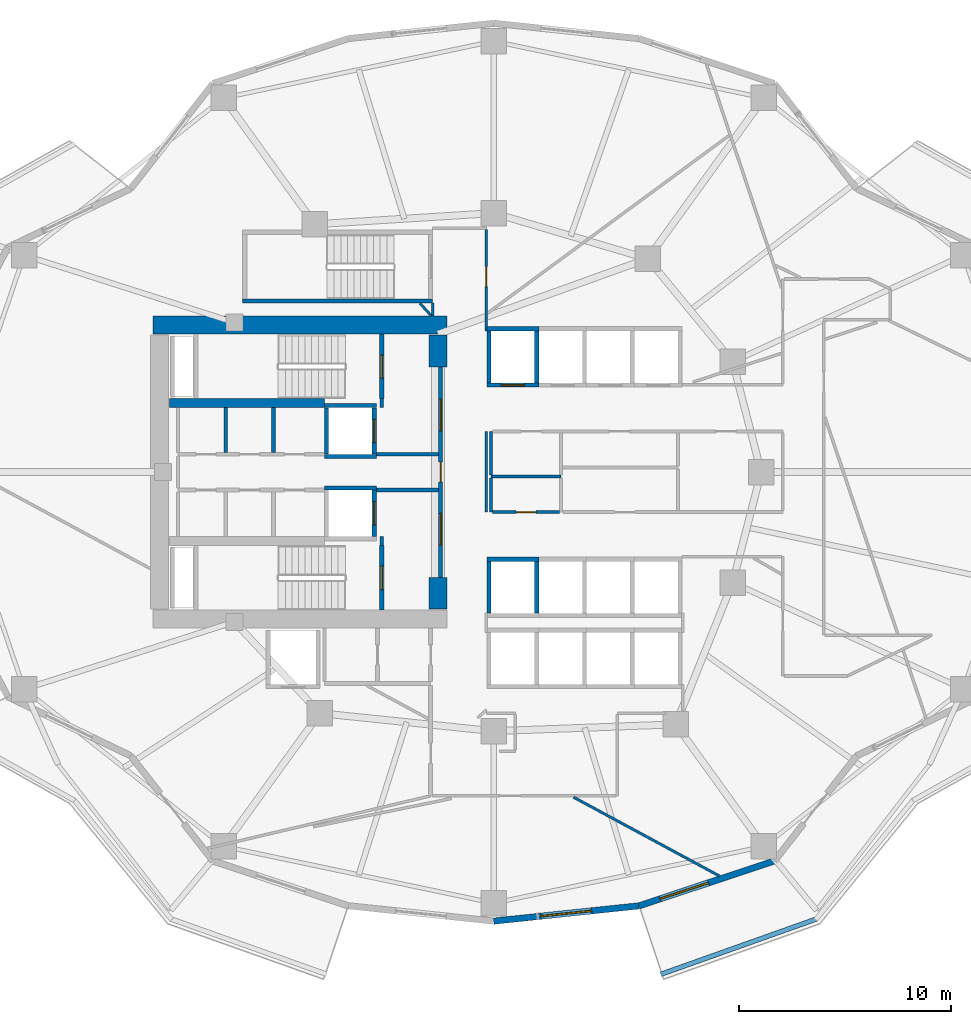
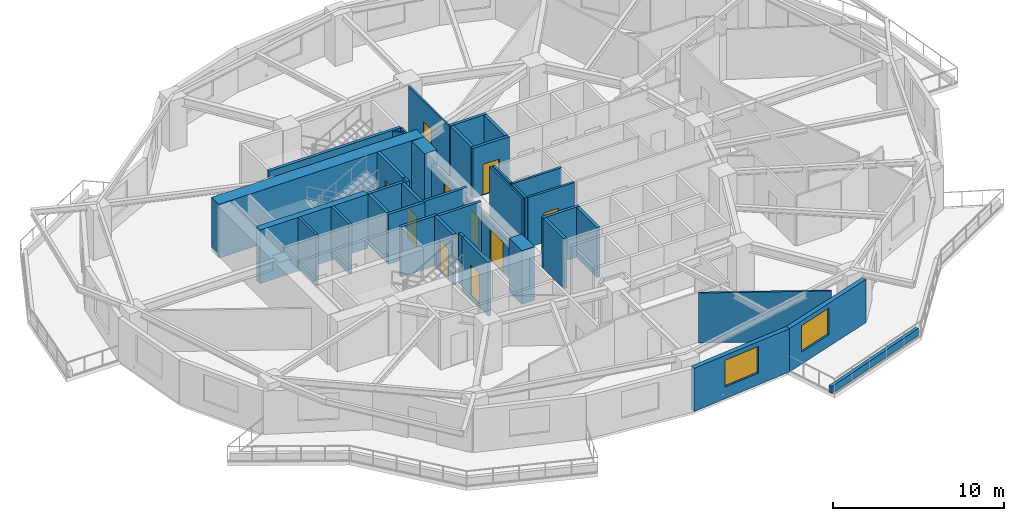
# One storey, part 4 of 11: 39 walls, 10 doors, 2 windows, 12 openings.
"""IFC4 building model written with IfcOpenShell, lengths in metres."""

from ifc_helpers import new_model, si_unit, direction, frame, frame_2d, origin, place, context, subcontext, project, spatial, rectangle, extrude, material, layer, layer_set, type_object, element, fill, save


model = new_model("IFC4")

# Units and contexts
model_context = context("Model", 3, precision=1e-05, world=origin(), true_north=direction((0.0, 1.0)))
body_context = subcontext(model_context, "Body", "Model", "MODEL_VIEW")
ifc_project = project(units=[si_unit("LENGTHUNIT", "METRE"), si_unit("AREAUNIT", "SQUARE_METRE"), si_unit("VOLUMEUNIT", "CUBIC_METRE"), si_unit("PLANEANGLEUNIT", "RADIAN"), si_unit("MASSUNIT", "GRAM", prefix="KILO")], contexts=[model_context])

# Site, building, storey
site_placement = place(None, origin())
site = spatial("IfcSite", under=ifc_project, at=site_placement, CompositionType="ELEMENT")
building_placement = place(site_placement, origin())
building = spatial("IfcBuilding", under=site, at=building_placement, Name="Kolvaren Gate Tower and Convention Centre", CompositionType="ELEMENT")
storey_placement = place(building_placement, frame((0.0, 0.0, 88.10009765625)))
storey = spatial("IfcBuildingStorey", under=building, at=storey_placement, Name="L21", CompositionType="ELEMENT", Elevation=88.10009765625)

# Walls
ifc_material_1 = material(Name="Autoclaved Aerated Masonry Blockwork Class 4 (4.0 MPa)", Category="masonry")
ifc_layer_1 = layer(ifc_material_1, 0.179931640625)
ifc_layer_set_1 = layer_set([ifc_layer_1], Name="Autoclaved Aerated Masonry Blockwork Class 4 (4.0 MPa)")
wall_type_1 = type_object("IfcWallType", Name="ARCH-WL-COMP-180", PredefinedType="SOLIDWALL", material=ifc_layer_set_1)
for number, where, z_axis, x_axis, name in (
    (1, (24.85009765625, 23.5400390625, 0.0), (0.0, 0.0, 1.0), (0.0, 1.0, 0.0), "Interior Partition WL-L21-INT-001"),
    (2, (24.85009765625, 30.0400390625, 0.0), (0.0, 0.0, 1.0), (0.0, 1.0, 0.0), "Interior Partition WL-L21-INT-002"),
):
    element("IfcWall", number, at=place(storey_placement, frame(where, z_axis=z_axis, x_axis=x_axis)), inside=storey, type_object=wall_type_1, Name=name, PredefinedType="SOLIDWALL", context=body_context, shape_type="SweptSolid", body=[
        extrude(rectangle(XDim=0.419921875, YDim=0.179931640625, at=frame_2d((0.2099609375, 0.0))), origin(), (0.0, 0.0, 1.0), 3.56982421875),
    ])

# Wall, openings, doors
wall_1_placement = place(storey_placement, frame((27.6201171875, 22.050048828125, 0.0), z_axis=(0.0, 0.0, 1.0), x_axis=(0.0, 1.0, 0.0)))
wall_1 = element("IfcWall", 3, at=wall_1_placement, inside=storey, type_object=wall_type_1, Name="Interior Partition WL-L21-INT-003", PredefinedType="SOLIDWALL", context=body_context, shape_type="SweptSolid", body=[
    extrude(rectangle(XDim=9.89990234375, YDim=0.179931640625, at=frame_2d((4.949951171875, 0.0))), origin(), (0.0, 0.0, 1.0), 2.661865234375),
])
opening_1_placement = place(wall_1_placement, frame((4.47509765625, 0.0, 0.0)))
opening_1 = element("IfcOpeningElement", 4, at=opening_1_placement, cuts=wall_1, Name="Opening DR-01", PredefinedType="OPENING", context=body_context, shape_type="SweptSolid", body=[
    extrude(rectangle(XDim=0.949951171875, YDim=2.10009765625, at=frame_2d((0.47509765625, 1.050048828125))), frame((0.0, 0.099853515625, 0.0), z_axis=(0.0, -1.0, 0.0), x_axis=(1.0, 0.0, 0.0)), (0.0, 0.0, 1.0), 0.199951171875),
])
opening_2_placement = place(wall_1_placement, frame((6.889892578125, 0.0, 0.0)))
opening_2 = element("IfcOpeningElement", 5, at=opening_2_placement, cuts=wall_1, Name="Opening DL-01", PredefinedType="OPENING", context=body_context, shape_type="SweptSolid", body=[
    extrude(rectangle(XDim=1.5, YDim=2.199951171875, at=frame_2d((0.75, 1.10009765625))), frame((0.0, 0.099853515625, 0.0), z_axis=(0.0, -1.0, 0.0), x_axis=(1.0, 0.0, 0.0)), (0.0, 0.0, 1.0), 0.199951171875),
])
opening_3_placement = place(wall_1_placement, frame((1.510009765625, 0.0, 0.0)))
opening_3 = element("IfcOpeningElement", 6, at=opening_3_placement, cuts=wall_1, Name="Opening DL-01", PredefinedType="OPENING", context=body_context, shape_type="SweptSolid", body=[
    extrude(rectangle(XDim=1.5, YDim=2.199951171875, at=frame_2d((0.75, 1.10009765625))), frame((0.0, 0.099853515625, 0.0), z_axis=(0.0, -1.0, 0.0), x_axis=(1.0, 0.0, 0.0)), (0.0, 0.0, 1.0), 0.199951171875),
])
ifc_material_2 = material(Name="Painted Architectural Steelwork ASTM A500 Grade C 345 MPa", Category="steel")
door_type_1 = type_object("IfcDoorType", Name="ARCH-DR-LOBBY-1500", OperationType="DOUBLE_DOOR_SINGLE_SWING", PredefinedType="DOOR", material=ifc_material_2)
door_1_placement = place(opening_2_placement, origin())
door_1 = element("IfcDoor", 7, at=door_1_placement, inside=storey, type_object=door_type_1, Name="North Firefighting Stair and Lift Lobby Door", OperationType="DOUBLE_DOOR_SINGLE_SWING", OverallHeight=2.199951171875, OverallWidth=1.5, PredefinedType="DOOR", context=body_context, shape_type="SweptSolid", body=[
    extrude(rectangle(XDim=1.5, YDim=2.199951171875, at=frame_2d((0.75, 1.10009765625))), frame((0.0, 0.02490234375, 0.0), z_axis=(0.0, -1.0, 0.0), x_axis=(1.0, 0.0, 0.0)), (0.0, 0.0, 1.0), 0.050048828125),
])
fill(opening_2, door_1)
door_2_placement = place(opening_3_placement, origin())
door_2 = element("IfcDoor", 8, at=door_2_placement, inside=storey, type_object=door_type_1, Name="South Firefighting Stair and Lift Lobby Door", OperationType="DOUBLE_DOOR_SINGLE_SWING", OverallHeight=2.199951171875, OverallWidth=1.5, PredefinedType="DOOR", context=body_context, shape_type="SweptSolid", body=[
    extrude(rectangle(XDim=1.5, YDim=2.199951171875, at=frame_2d((0.75, 1.10009765625))), frame((0.0, 0.02490234375, 0.0), z_axis=(0.0, -1.0, 0.0), x_axis=(1.0, 0.0, 0.0)), (0.0, 0.0, 1.0), 0.050048828125),
])
fill(opening_3, door_2)
door_type_2 = type_object("IfcDoorType", Name="ARCH-DR-RISER-950", OperationType="SINGLE_SWING_RIGHT", PredefinedType="DOOR", material=ifc_material_2)
door_3_placement = place(opening_1_placement, origin())
door_3 = element("IfcDoor", 9, at=door_3_placement, inside=storey, type_object=door_type_2, Name="Central MEP Service Corridor Door", OperationType="SINGLE_SWING_LEFT", OverallHeight=2.10009765625, OverallWidth=0.949951171875, PredefinedType="DOOR", context=body_context, shape_type="SweptSolid", body=[
    extrude(rectangle(XDim=0.949951171875, YDim=2.10009765625, at=frame_2d((0.47509765625, 1.050048828125))), frame((0.0, 0.02490234375, 0.0), z_axis=(0.0, -1.0, 0.0), x_axis=(1.0, 0.0, 0.0)), (0.0, 0.0, 1.0), 0.050048828125),
])
fill(opening_1, door_3)

# Walls
for number, where, z_axis, x_axis, name in (
    (10, (24.60009765625, 27.840087890625, 0.0), (0.0, 0.0, 1.0), (1.0, 0.0, 0.0), "Interior Partition WL-L21-INT-004 (2)"),
    (11, (24.60009765625, 26.159912109375, 0.0), (0.0, 0.0, 1.0), (1.0, 0.0, 0.0), "Interior Partition WL-L21-INT-005 (2)"),
):
    element("IfcWall", number, at=place(storey_placement, frame(where, z_axis=z_axis, x_axis=x_axis)), inside=storey, type_object=wall_type_1, Name=name, PredefinedType="SOLIDWALL", context=body_context, shape_type="SweptSolid", body=[
        extrude(rectangle(XDim=2.927978515625, YDim=0.179931640625, at=frame_2d((1.4638671875, 0.0))), origin(), (0.0, 0.0, 1.0), 3.56982421875),
    ])
wall_2_placement = place(storey_placement, frame((19.75, 27.931884765625, 0.0), z_axis=(0.0, 0.0, 1.0), x_axis=(0.0, 1.0, 0.0)))
element("IfcWall", 12, at=wall_2_placement, inside=storey, type_object=wall_type_1, Name="Interior Partition WL-L21-INT-008", PredefinedType="SOLIDWALL", context=body_context, shape_type="SweptSolid", body=[
    extrude(rectangle(XDim=2.106201171875, YDim=0.179931640625, at=frame_2d((1.05322265625, 0.0))), origin(), (0.0, 0.0, 1.0), 3.56982421875),
])
ifc_material_3 = material(Name="Fire-Rated Acoustic Gypsum Stud Partition", Category="gypsum")
ifc_layer_2 = layer(ifc_material_3, 0.1201171875)
ifc_layer_set_2 = layer_set([ifc_layer_2], Name="Fire-Rated Acoustic Gypsum Stud Partition")
wall_type_2 = type_object("IfcWallType", Name="ARCH-WL-PART-120", PredefinedType="PARTITIONING", material=ifc_layer_set_2)
wall_3_placement = place(storey_placement, frame((27.25, 34.35205078125, 0.0), z_axis=(0.0, 0.0, 1.0), x_axis=(0.0, 1.0, 0.0)))
element("IfcWall", 13, at=wall_3_placement, inside=storey, type_object=wall_type_2, Name="Interior Partition WL-L21-INT-026", PredefinedType="PARTITIONING", context=body_context, shape_type="SweptSolid", body=[
    extrude(rectangle(XDim=0.60595703125, YDim=0.1201171875, at=frame_2d((0.302978515625, 0.0))), origin(), (0.0, 0.0, 1.0), 3.56982421875),
])
wall_4_placement = place(storey_placement, frame((29.780029296875, 25.1201171875, 0.0), z_axis=(0.0, 0.0, 1.0), x_axis=(0.0, 1.0, 0.0)))
element("IfcWall", 14, at=wall_4_placement, inside=storey, type_object=wall_type_2, Name="Interior Partition WL-L21-INT-029", PredefinedType="PARTITIONING", context=body_context, shape_type="SweptSolid", body=[
    extrude(rectangle(XDim=3.7998046875, YDim=0.1201171875, at=frame_2d((1.89990234375, 0.0))), origin(), (0.0, 0.0, 1.0), 3.56982421875),
])

# Wall, opening, door
wall_5_placement = place(storey_placement, frame((29.780029296875, 33.639892578125, 0.0), z_axis=(0.0, 0.0, 1.0), x_axis=(0.0, 1.0, 0.0)))
wall_5 = element("IfcWall", 15, at=wall_5_placement, inside=storey, type_object=wall_type_2, Name="Interior Partition WL-L21-INT-030", PredefinedType="PARTITIONING", context=body_context, shape_type="SweptSolid", body=[
    extrude(rectangle(XDim=4.798095703125, YDim=0.1201171875, at=frame_2d((2.39892578125, 0.0))), origin(), (0.0, 0.0, 1.0), 3.56982421875),
])
opening_4_placement = place(wall_5_placement, frame((2.094482421875, 0.0, 0.0)))
opening_4 = element("IfcOpeningElement", 16, at=opening_4_placement, cuts=wall_5, Name="Opening DR-01", PredefinedType="OPENING", context=body_context, shape_type="SweptSolid", body=[
    extrude(rectangle(XDim=0.949951171875, YDim=2.10009765625, at=frame_2d((0.47509765625, 1.050048828125))), frame((0.0, 0.070068359375, 0.0), z_axis=(0.0, -1.0, 0.0), x_axis=(1.0, 0.0, 0.0)), (0.0, 0.0, 1.0), 0.14013671875),
])
door_4_placement = place(opening_4_placement, origin())
door_4 = element("IfcDoor", 17, at=door_4_placement, inside=storey, type_object=door_type_2, Name="Conference and Training Seminar Room Door", OperationType="SINGLE_SWING_RIGHT", OverallHeight=2.10009765625, OverallWidth=0.949951171875, PredefinedType="DOOR", context=body_context, shape_type="SweptSolid", body=[
    extrude(rectangle(XDim=0.949951171875, YDim=2.10009765625, at=frame_2d((0.47509765625, 1.050048828125))), frame((0.0, 0.02490234375, 0.0), z_axis=(0.0, -1.0, 0.0), x_axis=(1.0, 0.0, 0.0)), (0.0, 0.0, 1.0), 0.050048828125),
])
fill(opening_4, door_4)

# Walls
wall_6_placement = place(storey_placement, frame((33.888916015625, 11.68798828125, 0.0), z_axis=(0.0, 0.0, 1.0), x_axis=(0.879862970093, -0.475227475909, 0.0)))
element("IfcWall", 18, at=wall_6_placement, inside=storey, type_object=wall_type_2, Name="Interior Partition WL-L21-INT-050", PredefinedType="PARTITIONING", context=body_context, shape_type="SweptSolid", body=[
    extrude(rectangle(XDim=7.79541015625, YDim=0.1201171875, at=frame_2d((3.897705078125, 0.0))), origin(), (0.0, 0.0, 1.0), 3.56982421875),
])
wall_7_placement = place(storey_placement, frame((26.65087890625, 34.9580078125, 0.0), z_axis=(0.0, 0.0, 1.0), x_axis=(0.668729584791, -0.743505711091, 0.0)))
element("IfcWall", 19, at=wall_7_placement, inside=storey, type_object=wall_type_2, Name="Interior Partition WL-L21-INT-062", PredefinedType="PARTITIONING", context=body_context, shape_type="SweptSolid", body=[
    extrude(rectangle(XDim=0.80322265625, YDim=0.1201171875, at=frame_2d((0.401611328125, 0.0))), origin(), (0.0, 0.0, 1.0), 3.56982421875),
])
ifc_material_4 = material(Name="Piedmont Cream Honed Limestone Cladding", Category="masonry")
ifc_layer_3 = layer(ifc_material_4, 0.219970703125)
ifc_layer_set_3 = layer_set([ifc_layer_3], Name="Piedmont Cream Honed Limestone Cladding")
wall_type_3 = type_object("IfcWallType", Name="ARCH-WL-PLANTER-220", PredefinedType="PARAPET", material=ifc_layer_set_3)
wall_8_placement = place(storey_placement, frame((38.001220703125, 3.348876953125, 0.0), z_axis=(0.0, 0.0, 1.0), x_axis=(0.942203722205, 0.335040513764, 0.0)))
element("IfcWall", 20, at=wall_8_placement, inside=storey, type_object=wall_type_3, Name="Vertical-Forest Balcony Stone Planter Kerb PK-L21-4.1", PredefinedType="PARAPET", context=body_context, shape_type="SweptSolid", body=[
    extrude(rectangle(XDim=7.80712890625, YDim=0.219970703125, at=frame_2d((3.903564453125, 0.0))), origin(), (0.0, 0.0, 1.0), 0.52001953125),
])
ifc_layer_4 = layer(ifc_material_1, 0.199951171875)
ifc_layer_set_4 = layer_set([ifc_layer_4], Name="Autoclaved Aerated Masonry Blockwork Class 4 (4.0 MPa)")
wall_type_4 = type_object("IfcWallType", Name="ARCH-WL-SHAFT-200", PredefinedType="SOLIDWALL", material=ifc_layer_set_4)
for number, where, z_axis, x_axis, name in (
    (21, (22.14990234375, 30.139892578125, 0.0), (0.0, 0.0, 1.0), (1.0, 0.0, 0.0), "Elevator FF-01 L21 Fire Shaft Wall N"),
    (22, (22.14990234375, 27.739990234375, 0.0), (0.0, 0.0, 1.0), (1.0, 0.0, 0.0), "Elevator FF-01 L21 Fire Shaft Wall S"),
):
    element("IfcWall", number, at=place(storey_placement, frame(where, z_axis=z_axis, x_axis=x_axis)), inside=storey, type_object=wall_type_4, Name=name, PredefinedType="SOLIDWALL", context=body_context, shape_type="SweptSolid", body=[
        extrude(rectangle(XDim=2.4501953125, YDim=0.199951171875, at=frame_2d((1.22509765625, 0.0))), origin(), (0.0, 0.0, 1.0), 3.56982421875),
    ])
wall_9_placement = place(storey_placement, frame((22.25, 27.85009765625, 0.0), z_axis=(0.0, 0.0, 1.0), x_axis=(0.0, 1.0, 0.0)))
element("IfcWall", 23, at=wall_9_placement, inside=storey, type_object=wall_type_4, Name="Elevator FF-01 L21 Fire Shaft Wall W", PredefinedType="SOLIDWALL", context=body_context, shape_type="SweptSolid", body=[
    extrude(rectangle(XDim=2.179931640625, YDim=0.199951171875, at=frame_2d((1.08984375, 0.0))), origin(), (0.0, 0.0, 1.0), 3.56982421875),
])

# Wall, opening, door
wall_10_placement = place(storey_placement, frame((24.5, 27.85009765625, 0.0), z_axis=(0.0, 0.0, 1.0), x_axis=(0.0, 1.0, 0.0)))
wall_10 = element("IfcWall", 24, at=wall_10_placement, inside=storey, type_object=wall_type_4, Name="Elevator FF-01 L21 Fire Shaft Wall E", PredefinedType="SOLIDWALL", context=body_context, shape_type="SweptSolid", body=[
    extrude(rectangle(XDim=2.179931640625, YDim=0.199951171875, at=frame_2d((1.08984375, 0.0))), origin(), (0.0, 0.0, 1.0), 3.56982421875),
])
opening_5_placement = place(wall_10_placement, frame((0.5400390625, 0.0, 0.0)))
opening_5 = element("IfcOpeningElement", 25, at=opening_5_placement, cuts=wall_10, Name="Opening LD", PredefinedType="OPENING", context=body_context, shape_type="SweptSolid", body=[
    extrude(rectangle(XDim=1.10009765625, YDim=2.199951171875, at=frame_2d((0.550048828125, 1.10009765625))), frame((0.0, 0.10986328125, 0.0), z_axis=(0.0, -1.0, 0.0), x_axis=(1.0, 0.0, 0.0)), (0.0, 0.0, 1.0), 0.219970703125),
])
ifc_material_5 = material(Name="Brushed Stainless Steel Grade 316L", Category="steel")
door_type_3 = type_object("IfcDoorType", Name="ARCH-DR-LIFT-1100", OperationType="SLIDING_TO_LEFT", PredefinedType="DOOR", material=ifc_material_5)
door_5_placement = place(opening_5_placement, origin())
door_5 = element("IfcDoor", 26, at=door_5_placement, inside=storey, type_object=door_type_3, Name="Elevator FF-01 L21 Sliding Landing Door", OperationType="SLIDING_TO_LEFT", OverallHeight=2.199951171875, OverallWidth=1.10009765625, PredefinedType="DOOR", context=body_context, shape_type="SweptSolid", body=[
    extrude(rectangle(XDim=1.10009765625, YDim=2.199951171875, at=frame_2d((0.550048828125, 1.10009765625))), frame((0.0, 0.02490234375, 0.0), z_axis=(0.0, -1.0, 0.0), x_axis=(1.0, 0.0, 0.0)), (0.0, 0.0, 1.0), 0.050048828125),
])
fill(opening_5, door_5)

# Wall
wall_11_placement = place(storey_placement, frame((22.14990234375, 26.260009765625, 0.0), z_axis=(0.0, 0.0, 1.0), x_axis=(1.0, 0.0, 0.0)))
element("IfcWall", 27, at=wall_11_placement, inside=storey, type_object=wall_type_4, Name="Elevator FF-02 L21 Fire Shaft Wall N", PredefinedType="SOLIDWALL", context=body_context, shape_type="SweptSolid", body=[
    extrude(rectangle(XDim=2.4501953125, YDim=0.199951171875, at=frame_2d((1.22509765625, 0.0))), origin(), (0.0, 0.0, 1.0), 3.56982421875),
])

# Wall, opening, door
wall_12_placement = place(storey_placement, frame((24.5, 23.969970703125, 0.0), z_axis=(0.0, 0.0, 1.0), x_axis=(0.0, 1.0, 0.0)))
wall_12 = element("IfcWall", 28, at=wall_12_placement, inside=storey, type_object=wall_type_4, Name="Elevator FF-02 L21 Fire Shaft Wall E", PredefinedType="SOLIDWALL", context=body_context, shape_type="SweptSolid", body=[
    extrude(rectangle(XDim=2.179931640625, YDim=0.199951171875, at=frame_2d((1.08984375, 0.0))), origin(), (0.0, 0.0, 1.0), 3.56982421875),
])
opening_6_placement = place(wall_12_placement, frame((0.5400390625, 0.0, 0.0)))
opening_6 = element("IfcOpeningElement", 29, at=opening_6_placement, cuts=wall_12, Name="Opening LD", PredefinedType="OPENING", context=body_context, shape_type="SweptSolid", body=[
    extrude(rectangle(XDim=1.10009765625, YDim=2.199951171875, at=frame_2d((0.550048828125, 1.10009765625))), frame((0.0, 0.10986328125, 0.0), z_axis=(0.0, -1.0, 0.0), x_axis=(1.0, 0.0, 0.0)), (0.0, 0.0, 1.0), 0.219970703125),
])
door_6_placement = place(opening_6_placement, origin())
door_6 = element("IfcDoor", 30, at=door_6_placement, inside=storey, type_object=door_type_3, Name="Elevator FF-02 L21 Sliding Landing Door", OperationType="SLIDING_TO_LEFT", OverallHeight=2.199951171875, OverallWidth=1.10009765625, PredefinedType="DOOR", context=body_context, shape_type="SweptSolid", body=[
    extrude(rectangle(XDim=1.10009765625, YDim=2.199951171875, at=frame_2d((0.550048828125, 1.10009765625))), frame((0.0, 0.02490234375, 0.0), z_axis=(0.0, -1.0, 0.0), x_axis=(1.0, 0.0, 0.0)), (0.0, 0.0, 1.0), 0.050048828125),
])
fill(opening_6, door_6)

# Wall
wall_13_placement = place(storey_placement, frame((29.800048828125, 33.75, 0.0), z_axis=(0.0, 0.0, 1.0), x_axis=(1.0, 0.0, 0.0)))
element("IfcWall", 31, at=wall_13_placement, inside=storey, type_object=wall_type_4, Name="Elevator PL-01 L21 Fire Shaft Wall N", PredefinedType="SOLIDWALL", context=body_context, shape_type="SweptSolid", body=[
    extrude(rectangle(XDim=2.449951171875, YDim=0.199951171875, at=frame_2d((1.22509765625, 0.0))), origin(), (0.0, 0.0, 1.0), 3.56982421875),
])

# Wall, opening, door
wall_14_placement = place(storey_placement, frame((29.800048828125, 31.10009765625, 0.0), z_axis=(0.0, 0.0, 1.0), x_axis=(1.0, 0.0, 0.0)))
wall_14 = element("IfcWall", 32, at=wall_14_placement, inside=storey, type_object=wall_type_4, Name="Elevator PL-01 L21 Fire Shaft Wall S", PredefinedType="SOLIDWALL", context=body_context, shape_type="SweptSolid", body=[
    extrude(rectangle(XDim=2.449951171875, YDim=0.199951171875, at=frame_2d((1.22509765625, 0.0))), origin(), (0.0, 0.0, 1.0), 3.56982421875),
])
opening_7_placement = place(wall_14_placement, frame((0.675048828125, 0.0, 0.0)))
opening_7 = element("IfcOpeningElement", 33, at=opening_7_placement, cuts=wall_14, Name="Opening LD", PredefinedType="OPENING", context=body_context, shape_type="SweptSolid", body=[
    extrude(rectangle(XDim=1.10009765625, YDim=2.199951171875, at=frame_2d((0.550048828125, 1.10009765625))), frame((0.0, 0.10986328125, 0.0), z_axis=(0.0, -1.0, 0.0), x_axis=(1.0, 0.0, 0.0)), (0.0, 0.0, 1.0), 0.219970703125),
])
door_7_placement = place(opening_7_placement, origin())
door_7 = element("IfcDoor", 34, at=door_7_placement, inside=storey, type_object=door_type_3, Name="Elevator PL-01 L21 Sliding Landing Door", OperationType="SLIDING_TO_LEFT", OverallHeight=2.199951171875, OverallWidth=1.10009765625, PredefinedType="DOOR", context=body_context, shape_type="SweptSolid", body=[
    extrude(rectangle(XDim=1.10009765625, YDim=2.199951171875, at=frame_2d((0.550048828125, 1.10009765625))), frame((0.0, 0.02490234375, 0.0), z_axis=(0.0, -1.0, 0.0), x_axis=(1.0, 0.0, 0.0)), (0.0, 0.0, 1.0), 0.050048828125),
])
fill(opening_7, door_7)

# Walls
for number, where, z_axis, x_axis, name in (
    (35, (29.89990234375, 31.2099609375, 0.0), (0.0, 0.0, 1.0), (0.0, 1.0, 0.0), "Elevator PL-01 L21 Fire Shaft Wall W"),
    (36, (32.14990234375, 31.2099609375, 0.0), (0.0, 0.0, 1.0), (0.0, 1.0, 0.0), "Elevator PL-01 L21 Fire Shaft Wall E"),
):
    element("IfcWall", number, at=place(storey_placement, frame(where, z_axis=z_axis, x_axis=x_axis)), inside=storey, type_object=wall_type_4, Name=name, PredefinedType="SOLIDWALL", context=body_context, shape_type="SweptSolid", body=[
        extrude(rectangle(XDim=2.429931640625, YDim=0.199951171875, at=frame_2d((1.21484375, 0.0))), origin(), (0.0, 0.0, 1.0), 3.56982421875),
    ])
wall_15_placement = place(storey_placement, frame((29.800048828125, 22.89990234375, 0.0), z_axis=(0.0, 0.0, 1.0), x_axis=(1.0, 0.0, 0.0)))
element("IfcWall", 37, at=wall_15_placement, inside=storey, type_object=wall_type_4, Name="Elevator PL-09 L21 Fire Shaft Wall N", PredefinedType="SOLIDWALL", context=body_context, shape_type="SweptSolid", body=[
    extrude(rectangle(XDim=2.449951171875, YDim=0.199951171875, at=frame_2d((1.22509765625, 0.0))), origin(), (0.0, 0.0, 1.0), 3.56982421875),
])
for number, where, z_axis, x_axis, name in (
    (38, (29.89990234375, 20.360107421875, 0.0), (0.0, 0.0, 1.0), (0.0, 1.0, 0.0), "Elevator PL-09 L21 Fire Shaft Wall W"),
    (39, (32.14990234375, 20.360107421875, 0.0), (0.0, 0.0, 1.0), (0.0, 1.0, 0.0), "Elevator PL-09 L21 Fire Shaft Wall E"),
):
    element("IfcWall", number, at=place(storey_placement, frame(where, z_axis=z_axis, x_axis=x_axis)), inside=storey, type_object=wall_type_4, Name=name, PredefinedType="SOLIDWALL", context=body_context, shape_type="SweptSolid", body=[
        extrude(rectangle(XDim=2.429931640625, YDim=0.199951171875, at=frame_2d((1.21484375, 0.0))), origin(), (0.0, 0.0, 1.0), 3.56982421875),
    ])

# Wall, opening, window
ifc_layer_5 = layer(ifc_material_4, 0.300048828125)
ifc_layer_set_5 = layer_set([ifc_layer_5], Name="Piedmont Cream Honed Limestone Cladding")
wall_type_5 = type_object("IfcWallType", Name="ARCH-WL-STONE-300", PredefinedType="SOLIDWALL", material=ifc_layer_set_5)
wall_16_placement = place(storey_placement, frame((30.125, 5.85009765625, 0.0), z_axis=(0.0, 0.0, 1.0), x_axis=(0.994498840295, 0.104747585419, 0.0)))
wall_16 = element("IfcWall", 40, at=wall_16_placement, inside=storey, type_object=wall_type_5, Name="Tower L21 Honed Stone Spandrel Wall EW-18", PredefinedType="SOLIDWALL", context=body_context, shape_type="SweptSolid", body=[
    extrude(rectangle(XDim=6.88037109375, YDim=0.300048828125, at=frame_2d((3.440185546875, 0.0))), origin(), (0.0, 0.0, 1.0), 3.093017578125),
])
opening_8_placement = place(wall_16_placement, frame((2.239990234375, 0.0, 0.85009765625)))
opening_8 = element("IfcOpeningElement", 41, at=opening_8_placement, cuts=wall_16, Name="Opening W-01", PredefinedType="OPENING", context=body_context, shape_type="SweptSolid", body=[
    extrude(rectangle(XDim=2.39990234375, YDim=1.89990234375, at=frame_2d((1.199951171875, 0.949951171875))), frame((0.0, 0.159912109375, 0.0), z_axis=(0.0, -1.0, 0.0), x_axis=(1.0, 0.0, 0.0)), (0.0, 0.0, 1.0), 0.320068359375),
])
ifc_material_6 = material(Name="Low-E Triple Insulated Glazing Unit 44 mm", Category="glass")
window_type = type_object("IfcWindowType", Name="ARCH-WN-OFF-2400", PartitioningType="SINGLE_PANEL", PredefinedType="WINDOW", material=ifc_material_6)
window_1_placement = place(opening_8_placement, origin())
window_1 = element("IfcWindow", 42, at=window_1_placement, inside=storey, type_object=window_type, Name="Tower L21 Punched Stone Facade Window W-18", OverallHeight=1.89990234375, OverallWidth=2.39990234375, PartitioningType="SINGLE_PANEL", PredefinedType="WINDOW", context=body_context, shape_type="SweptSolid", body=[
    extrude(rectangle(XDim=2.39990234375, YDim=1.89990234375, at=frame_2d((1.199951171875, 0.949951171875))), frame((0.0, 0.030029296875, 0.0), z_axis=(0.0, -1.0, 0.0), x_axis=(1.0, 0.0, 0.0)), (0.0, 0.0, 1.0), 0.06005859375),
])
fill(opening_8, window_1)

wall_17_placement = place(storey_placement, frame((36.967529296875, 6.57080078125, 0.0), z_axis=(0.0, 0.0, 1.0), x_axis=(0.949245153629, 0.314537181127, 0.0)))
wall_17 = element("IfcWall", 43, at=wall_17_placement, inside=storey, type_object=wall_type_5, Name="Tower L21 Honed Stone Spandrel Wall EW-19", PredefinedType="SOLIDWALL", context=body_context, shape_type="SweptSolid", body=[
    extrude(rectangle(XDim=6.717041015625, YDim=0.300048828125, at=frame_2d((3.3583984375, 0.0))), origin(), (0.0, 0.0, 1.0), 3.093017578125),
])
opening_9_placement = place(wall_17_placement, frame((1.050048828125, 0.0, 0.85009765625)))
opening_9 = element("IfcOpeningElement", 44, at=opening_9_placement, cuts=wall_17, Name="Opening W-01", PredefinedType="OPENING", context=body_context, shape_type="SweptSolid", body=[
    extrude(rectangle(XDim=2.39990234375, YDim=1.89990234375, at=frame_2d((1.199951171875, 0.949951171875))), frame((0.0, 0.159912109375, 0.0), z_axis=(0.0, -1.0, 0.0), x_axis=(1.0, 0.0, 0.0)), (0.0, 0.0, 1.0), 0.320068359375),
])
window_2_placement = place(opening_9_placement, origin())
window_2 = element("IfcWindow", 45, at=window_2_placement, inside=storey, type_object=window_type, Name="Tower L21 Punched Stone Facade Window W-19", OverallHeight=1.89990234375, OverallWidth=2.39990234375, PartitioningType="SINGLE_PANEL", PredefinedType="WINDOW", context=body_context, shape_type="SweptSolid", body=[
    extrude(rectangle(XDim=2.39990234375, YDim=1.89990234375, at=frame_2d((1.199951171875, 0.949951171875))), frame((0.0, 0.030029296875, 0.0), z_axis=(0.0, -1.0, 0.0), x_axis=(1.0, 0.0, 0.0)), (0.0, 0.0, 1.0), 0.06005859375),
])
fill(opening_9, window_2)

# Walls
ifc_material_7 = material(Name="Moisture-Resistant Cement-Board Acoustic Partition", Category="gypsum")
ifc_layer_6 = layer(ifc_material_7, 0.14990234375)
ifc_layer_set_6 = layer_set([ifc_layer_6], Name="Moisture-Resistant Cement-Board Acoustic Partition")
wall_type_6 = type_object("IfcWallType", Name="ARCH-WL-WET-150", PredefinedType="PARTITIONING", material=ifc_layer_set_6)
wall_18_placement = place(storey_placement, frame((17.5, 27.931884765625, 0.0), z_axis=(0.0, 0.0, 1.0), x_axis=(0.0, 1.0, 0.0)))
element("IfcWall", 46, at=wall_18_placement, inside=storey, type_object=wall_type_6, Name="Interior Partition WL-L21-INT-010", PredefinedType="PARTITIONING", context=body_context, shape_type="SweptSolid", body=[
    extrude(rectangle(XDim=2.106201171875, YDim=0.14990234375, at=frame_2d((1.05322265625, 0.0))), origin(), (0.0, 0.0, 1.0), 3.56982421875),
])
wall_19_placement = place(storey_placement, frame((30.0, 26.800048828125, 0.0), z_axis=(0.0, 0.0, 1.0), x_axis=(1.0, 0.0, 0.0)))
element("IfcWall", 47, at=wall_19_placement, inside=storey, type_object=wall_type_6, Name="Interior Partition WL-L21-INT-015", PredefinedType="PARTITIONING", context=body_context, shape_type="SweptSolid", body=[
    extrude(rectangle(XDim=3.300048828125, YDim=0.14990234375, at=frame_2d((1.64990234375, 0.0))), origin(), (0.0, 0.0, 1.0), 3.56982421875),
])
wall_20_placement = place(storey_placement, frame((30.0, 25.1201171875, 0.0), z_axis=(0.0, 0.0, 1.0), x_axis=(0.0, 1.0, 0.0)))
element("IfcWall", 48, at=wall_20_placement, inside=storey, type_object=wall_type_6, Name="Interior Partition WL-L21-INT-016", PredefinedType="PARTITIONING", context=body_context, shape_type="SweptSolid", body=[
    extrude(rectangle(XDim=1.602783203125, YDim=0.14990234375, at=frame_2d((0.80126953125, 0.0))), origin(), (0.0, 0.0, 1.0), 3.56982421875),
])
wall_21_placement = place(storey_placement, frame((30.0, 26.876953125, 0.0), z_axis=(0.0, 0.0, 1.0), x_axis=(0.0, 1.0, 0.0)))
element("IfcWall", 49, at=wall_21_placement, inside=storey, type_object=wall_type_6, Name="Interior Partition WL-L21-INT-016 (2)", PredefinedType="PARTITIONING", context=body_context, shape_type="SweptSolid", body=[
    extrude(rectangle(XDim=2.04296875, YDim=0.14990234375, at=frame_2d((1.021484375, 0.0))), origin(), (0.0, 0.0, 1.0), 3.56982421875),
])

# Wall, opening, door
wall_22_placement = place(storey_placement, frame((30.076904296875, 25.1201171875, 0.0), z_axis=(0.0, 0.0, 1.0), x_axis=(1.0, 0.0, 0.0)))
wall_22 = element("IfcWall", 50, at=wall_22_placement, inside=storey, type_object=wall_type_6, Name="Interior Partition WL-L21-INT-019", PredefinedType="PARTITIONING", context=body_context, shape_type="SweptSolid", body=[
    extrude(rectangle(XDim=3.14599609375, YDim=0.14990234375, at=frame_2d((1.572998046875, 0.0))), origin(), (0.0, 0.0, 1.0), 3.56982421875),
])
opening_10_placement = place(wall_22_placement, frame((1.097900390625, 0.0, 0.0)))
opening_10 = element("IfcOpeningElement", 51, at=opening_10_placement, cuts=wall_22, Name="Opening DR-01", PredefinedType="OPENING", context=body_context, shape_type="SweptSolid", body=[
    extrude(rectangle(XDim=0.949951171875, YDim=2.10009765625, at=frame_2d((0.47509765625, 1.050048828125))), frame((0.0, 0.0849609375, 0.0), z_axis=(0.0, -1.0, 0.0), x_axis=(1.0, 0.0, 0.0)), (0.0, 0.0, 1.0), 0.169921875),
])
door_8_placement = place(opening_10_placement, origin())
door_8 = element("IfcDoor", 52, at=door_8_placement, inside=storey, type_object=door_type_2, Name="South Visitor Washroom Door", OperationType="SINGLE_SWING_RIGHT", OverallHeight=2.10009765625, OverallWidth=0.949951171875, PredefinedType="DOOR", context=body_context, shape_type="SweptSolid", body=[
    extrude(rectangle(XDim=0.949951171875, YDim=2.10009765625, at=frame_2d((0.47509765625, 1.050048828125))), frame((0.0, 0.02490234375, 0.0), z_axis=(0.0, -1.0, 0.0), x_axis=(1.0, 0.0, 0.0)), (0.0, 0.0, 1.0), 0.050048828125),
])
fill(opening_10, door_8)

# Walls
ifc_material_8 = material(Name="Concrete C50/60", Category="concrete")
ifc_layer_7 = layer(ifc_material_8, 0.419921875)
ifc_layer_set_7 = layer_set([ifc_layer_7], Name="Concrete C50/60")
wall_type_7 = type_object("IfcWallType", Name="STR-WL-CONV-420", PredefinedType="SHEAR", material=ifc_layer_set_7)
wall_23_placement = place(storey_placement, frame((14.85009765625, 30.25, -0.280029296875), z_axis=(0.0, 0.0, 1.0), x_axis=(1.0, 0.0, 0.0)))
element("IfcWall", 53, at=wall_23_placement, inside=storey, type_object=wall_type_7, Name="Tower L21 Offset Core Shear Wall WN", PredefinedType="SHEAR", context=body_context, shape_type="SweptSolid", body=[
    extrude(rectangle(XDim=7.2998046875, YDim=0.419921875, at=frame_2d((3.64990234375, 0.0))), origin(), (0.0, 0.0, 1.0), 3.849853515625),
])
ifc_material_9 = material(Name="Concrete C70/85", Category="concrete")
ifc_layer_8 = layer(ifc_material_9, 0.85009765625)
ifc_layer_set_8 = layer_set([ifc_layer_8], Name="Concrete C70/85")
wall_type_8 = type_object("IfcWallType", Name="STR-WL-CORE-850", PredefinedType="SHEAR", material=ifc_layer_set_8)
wall_24_placement = place(storey_placement, frame((14.074951171875, 33.925048828125, -0.280029296875), z_axis=(0.0, 0.0, 1.0), x_axis=(1.0, 0.0, 0.0)))
element("IfcWall", 54, at=wall_24_placement, inside=storey, type_object=wall_type_8, Name="Tower L21 Offset Core Shear Wall N", PredefinedType="SHEAR", context=body_context, shape_type="SweptSolid", body=[
    extrude(rectangle(XDim=13.85009765625, YDim=0.85009765625, at=frame_2d((6.925048828125, 0.0))), origin(), (0.0, 0.0, 1.0), 3.849853515625),
])
for number, where, z_axis, x_axis, name in (
    (55, (27.5, 31.949951171875, -0.280029296875), (0.0, 0.0, 1.0), (0.0, 1.0, 0.0), "Tower L21 Offset Core Shear Wall EN"),
    (56, (27.5, 20.550048828125, -0.280029296875), (0.0, 0.0, 1.0), (0.0, 1.0, 0.0), "Tower L21 Offset Core Shear Wall ES"),
):
    element("IfcWall", number, at=place(storey_placement, frame(where, z_axis=z_axis, x_axis=x_axis)), inside=storey, type_object=wall_type_8, Name=name, PredefinedType="SHEAR", context=body_context, shape_type="SweptSolid", body=[
        extrude(rectangle(XDim=1.5, YDim=0.85009765625, at=frame_2d((0.75, 0.0))), origin(), (0.0, 0.0, 1.0), 3.849853515625),
    ])

# Wall, opening, door
ifc_layer_9 = layer(ifc_material_8, 0.199951171875)
ifc_layer_set_9 = layer_set([ifc_layer_9], Name="Concrete C50/60")
wall_type_9 = type_object("IfcWallType", Name="STR-WL-SHAFT-200", PredefinedType="SHEAR", material=ifc_layer_set_9)
wall_25_placement = place(storey_placement, frame((24.85009765625, 30.4599609375, -0.280029296875), z_axis=(0.0, 0.0, 1.0), x_axis=(0.0, 1.0, 0.0)))
wall_25 = element("IfcWall", 57, at=wall_25_placement, inside=storey, type_object=wall_type_9, Name="Tower North Exit Stair ST-T1 L21 Structural Shear Enclosure Wall NEAR", PredefinedType="SHEAR", context=body_context, shape_type="SweptSolid", body=[
    extrude(rectangle(XDim=3.0380859375, YDim=0.199951171875, at=frame_2d((1.51904296875, 0.0))), origin(), (0.0, 0.0, 1.0), 3.849853515625),
])
opening_11_placement = place(wall_25_placement, frame((0.968994140625, 0.0, 0.280029296875)))
opening_11 = element("IfcOpeningElement", 58, at=opening_11_placement, cuts=wall_25, Name="Opening DS-01", PredefinedType="OPENING", context=body_context, shape_type="SweptSolid", body=[
    extrude(rectangle(XDim=1.10009765625, YDim=2.14990234375, at=frame_2d((0.550048828125, 1.074951171875))), frame((0.0, 0.10986328125, 0.0), z_axis=(0.0, -1.0, 0.0), x_axis=(1.0, 0.0, 0.0)), (0.0, 0.0, 1.0), 0.219970703125),
])
door_type_4 = type_object("IfcDoorType", Name="ARCH-DR-STAIR-1100", OperationType="SINGLE_SWING_LEFT", PredefinedType="DOOR", material=ifc_material_2)
door_9_placement = place(opening_11_placement, origin())
door_9 = element("IfcDoor", 59, at=door_9_placement, inside=storey, type_object=door_type_4, Name="Tower North Exit Stair ST-T1 L21 Fire Exit Stair Door", OperationType="SINGLE_SWING_LEFT", OverallHeight=2.14990234375, OverallWidth=1.10009765625, PredefinedType="DOOR", context=body_context, shape_type="SweptSolid", body=[
    extrude(rectangle(XDim=1.10009765625, YDim=2.14990234375, at=frame_2d((0.550048828125, 1.074951171875))), frame((0.0, 0.02490234375, 0.0), z_axis=(0.0, -1.0, 0.0), x_axis=(1.0, 0.0, 0.0)), (0.0, 0.0, 1.0), 0.050048828125),
])
fill(opening_11, door_9)

wall_26_placement = place(storey_placement, frame((24.85009765625, 20.501953125, -0.280029296875), z_axis=(0.0, 0.0, 1.0), x_axis=(0.0, 1.0, 0.0)))
wall_26 = element("IfcWall", 60, at=wall_26_placement, inside=storey, type_object=wall_type_9, Name="Tower South Exit Stair ST-T2 L21 Structural Shear Enclosure Wall NEAR", PredefinedType="SHEAR", context=body_context, shape_type="SweptSolid", body=[
    extrude(rectangle(XDim=3.0380859375, YDim=0.199951171875, at=frame_2d((1.51904296875, 0.0))), origin(), (0.0, 0.0, 1.0), 3.849853515625),
])
opening_12_placement = place(wall_26_placement, frame((0.968994140625, 0.0, 0.280029296875)))
opening_12 = element("IfcOpeningElement", 61, at=opening_12_placement, cuts=wall_26, Name="Opening DS-01", PredefinedType="OPENING", context=body_context, shape_type="SweptSolid", body=[
    extrude(rectangle(XDim=1.10009765625, YDim=2.14990234375, at=frame_2d((0.550048828125, 1.074951171875))), frame((0.0, 0.10986328125, 0.0), z_axis=(0.0, -1.0, 0.0), x_axis=(1.0, 0.0, 0.0)), (0.0, 0.0, 1.0), 0.219970703125),
])
door_10_placement = place(opening_12_placement, origin())
door_10 = element("IfcDoor", 62, at=door_10_placement, inside=storey, type_object=door_type_4, Name="Tower South Exit Stair ST-T2 L21 Fire Exit Stair Door", OperationType="SINGLE_SWING_LEFT", OverallHeight=2.14990234375, OverallWidth=1.10009765625, PredefinedType="DOOR", context=body_context, shape_type="SweptSolid", body=[
    extrude(rectangle(XDim=1.10009765625, YDim=2.14990234375, at=frame_2d((0.550048828125, 1.074951171875))), frame((0.0, 0.02490234375, 0.0), z_axis=(0.0, -1.0, 0.0), x_axis=(1.0, 0.0, 0.0)), (0.0, 0.0, 1.0), 0.050048828125),
])
fill(opening_12, door_10)

# Wall
wall_27_placement = place(storey_placement, frame((18.300048828125, 35.06005859375, -0.280029296875), z_axis=(0.0, 0.0, 1.0), x_axis=(1.0, 0.0, 0.0)))
element("IfcWall", 63, at=wall_27_placement, inside=storey, type_object=wall_type_9, Name="Tower Mid-Zone Exit Stair ST-T3 L21 Structural Shear Enclosure Wall RGHT", PredefinedType="SHEAR", context=body_context, shape_type="SweptSolid", body=[
    extrude(rectangle(XDim=8.949951171875, YDim=0.199951171875, at=frame_2d((4.47509765625, 0.0))), origin(), (0.0, 0.0, 1.0), 3.849853515625),
])

save(model, "model.ifc")
